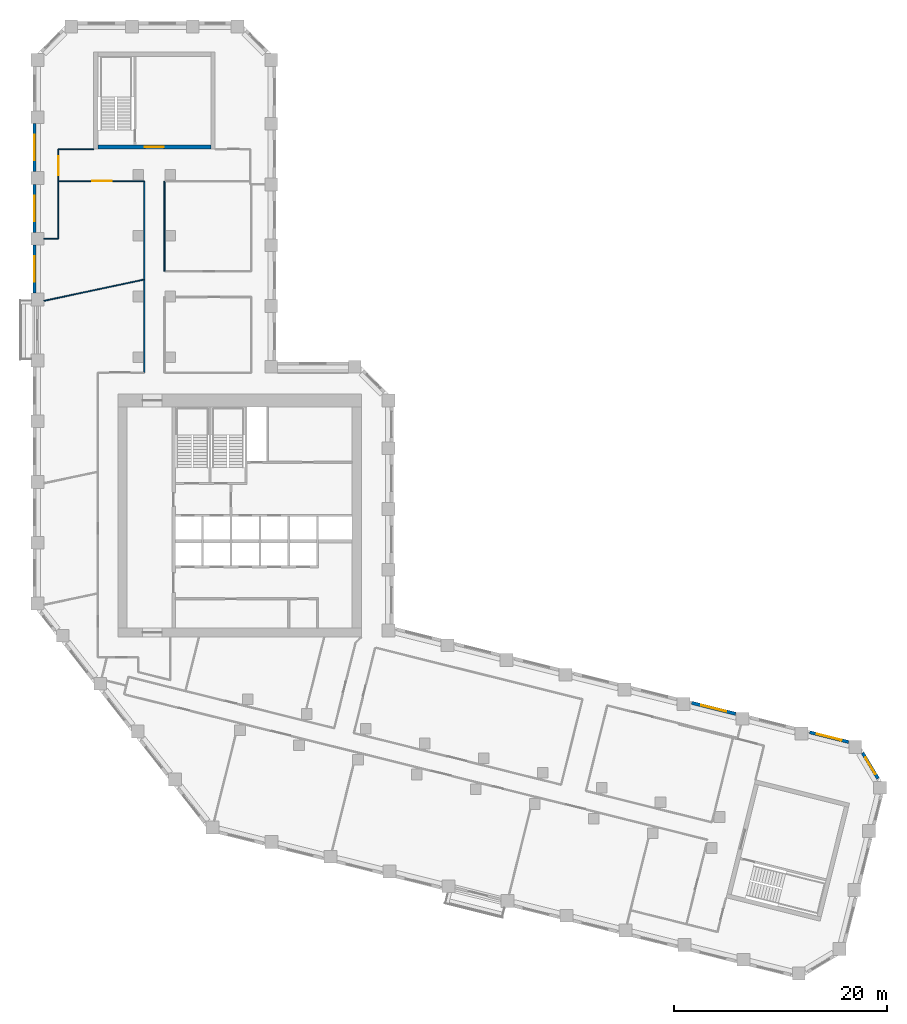
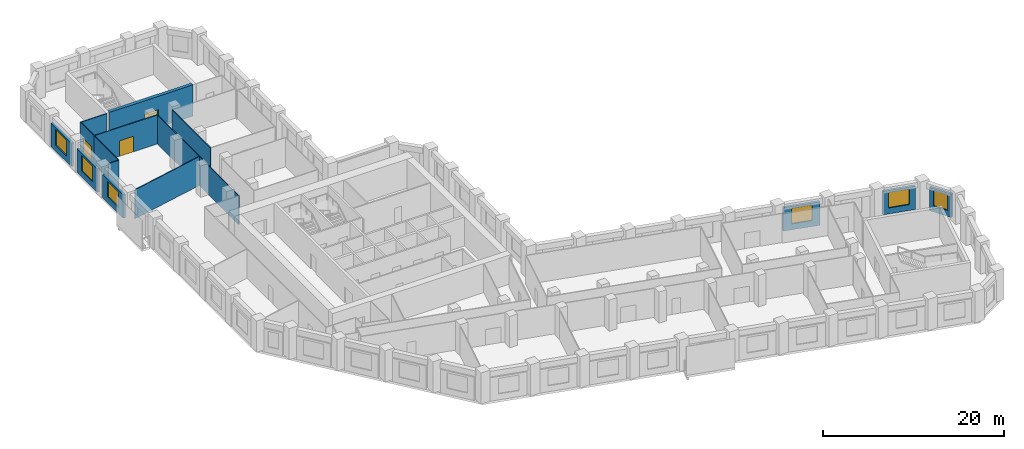
# One storey, part 7 of 10: 15 walls, 6 windows, 3 doors, 9 openings.
"""IFC4 building model written with IfcOpenShell, lengths in metres."""

from ifc_helpers import new_model, si_unit, direction, frame, frame_2d, origin, place, context, subcontext, project, spatial, rectangle, extrude, material, layer, layer_set, type_object, element, fill, save


model = new_model("IFC4")

# Units and contexts
model_context = context("Model", 3, precision=1e-05, world=origin(), true_north=direction((0.0, 1.0)))
body_context = subcontext(model_context, "Body", "Model", "MODEL_VIEW")
ifc_project = project(units=[si_unit("LENGTHUNIT", "METRE"), si_unit("AREAUNIT", "SQUARE_METRE"), si_unit("VOLUMEUNIT", "CUBIC_METRE"), si_unit("PLANEANGLEUNIT", "RADIAN"), si_unit("MASSUNIT", "GRAM", prefix="KILO")], contexts=[model_context])

# Site, building, storey
site_placement = place(None, origin())
site = spatial("IfcSite", under=ifc_project, at=site_placement, CompositionType="ELEMENT")
building_placement = place(site_placement, origin())
building = spatial("IfcBuilding", under=site, at=building_placement, Name="Meshkara Civic Tower", CompositionType="ELEMENT")
storey_placement = place(building_placement, frame((0.0, 0.0, 174.0)))
storey = spatial("IfcBuildingStorey", under=building, at=storey_placement, Name="L39", CompositionType="ELEMENT", Elevation=174.0)

# Wall, opening, door
ifc_material_1 = material(Name="Corridor wall 100")
ifc_layer_1 = layer(ifc_material_1, 0.10009765625)
ifc_layer_set_1 = layer_set([ifc_layer_1], Name="Corridor wall 100")
wall_type_1 = type_object("IfcWallType", Name="Corridor wall 100", PredefinedType="PARTITIONING", material=ifc_layer_set_1)
wall_1_placement = place(storey_placement, frame((2.39990234375, 56.8701171875, 0.0), z_axis=(0.0, 0.0, 1.0), x_axis=(1.0, 0.0, 0.0)))
wall_1 = element("IfcWall", 1, at=wall_1_placement, inside=storey, type_object=wall_type_1, Name="L39-W001", PredefinedType="PARTITIONING", context=body_context, shape_type="SweptSolid", body=[
    extrude(rectangle(XDim=8.050048828125, YDim=0.10009765625, at=frame_2d((4.02490234375, 0.0))), origin(), (0.0, 0.0, 1.0), 3.89990234375),
])
opening_1_placement = place(wall_1_placement, frame((3.179931640625, 0.0, 0.0)))
opening_1 = element("IfcOpeningElement", 2, at=opening_1_placement, cuts=wall_1, Name="Opening L39-D021", PredefinedType="OPENING", context=body_context, shape_type="SweptSolid", body=[
    extrude(rectangle(XDim=1.800048828125, YDim=2.10009765625, at=frame_2d((0.89990234375, 1.050048828125))), frame((0.0, 0.06005859375, 0.0), z_axis=(0.0, -1.0, 0.0), x_axis=(1.0, 0.0, 0.0)), (0.0, 0.0, 1.0), 0.1201171875),
])
ifc_material_2 = material(Name="Door pair 1800 x 2100")
door_type_1 = type_object("IfcDoorType", Name="Door pair 1800 x 2100", OperationType="SINGLE_SWING_LEFT", PredefinedType="DOOR", material=ifc_material_2)
door_1_placement = place(opening_1_placement, origin())
door_1 = element("IfcDoor", 3, at=door_1_placement, inside=storey, type_object=door_type_1, Name="L39-D021", OperationType="DOUBLE_DOOR_SINGLE_SWING", OverallHeight=2.10009765625, OverallWidth=1.800048828125, PredefinedType="DOOR", context=body_context, shape_type="SweptSolid", body=[
    extrude(rectangle(XDim=1.800048828125, YDim=2.10009765625, at=frame_2d((0.89990234375, 1.050048828125))), frame((0.0, 0.02490234375, 0.0), z_axis=(0.0, -1.0, 0.0), x_axis=(1.0, 0.0, 0.0)), (0.0, 0.0, 1.0), 0.050048828125),
])
fill(opening_1, door_1)

wall_2_placement = place(storey_placement, frame((2.39990234375, 59.8701171875, 0.0), z_axis=(0.0, 0.0, 1.0), x_axis=(0.0, -1.0, 0.0)))
wall_2 = element("IfcWall", 4, at=wall_2_placement, inside=storey, type_object=wall_type_1, Name="L39-W002", PredefinedType="PARTITIONING", context=body_context, shape_type="SweptSolid", body=[
    extrude(rectangle(XDim=3.0, YDim=0.10009765625, at=frame_2d((1.5, 0.0))), origin(), (0.0, 0.0, 1.0), 3.89990234375),
])
opening_2_placement = place(wall_2_placement, frame((0.679931640625, 0.0, 0.0)))
opening_2 = element("IfcOpeningElement", 5, at=opening_2_placement, cuts=wall_2, Name="Opening L39-D020", PredefinedType="OPENING", context=body_context, shape_type="SweptSolid", body=[
    extrude(rectangle(XDim=1.800048828125, YDim=2.10009765625, at=frame_2d((0.89990234375, 1.050048828125))), frame((0.0, 0.06005859375, 0.0), z_axis=(0.0, -1.0, 0.0), x_axis=(1.0, 0.0, 0.0)), (0.0, 0.0, 1.0), 0.1201171875),
])
door_2_placement = place(opening_2_placement, origin())
door_2 = element("IfcDoor", 6, at=door_2_placement, inside=storey, type_object=door_type_1, Name="L39-D020", OperationType="DOUBLE_DOOR_SINGLE_SWING", OverallHeight=2.10009765625, OverallWidth=1.800048828125, PredefinedType="DOOR", context=body_context, shape_type="SweptSolid", body=[
    extrude(rectangle(XDim=1.800048828125, YDim=2.10009765625, at=frame_2d((0.89990234375, 1.050048828125))), frame((0.0, 0.02490234375, 0.0), z_axis=(0.0, -1.0, 0.0), x_axis=(1.0, 0.0, 0.0)), (0.0, 0.0, 1.0), 0.050048828125),
])
fill(opening_2, door_2)

# Walls
wall_3_placement = place(storey_placement, frame((5.699951171875, 59.8701171875, 0.0), z_axis=(0.0, 0.0, 1.0), x_axis=(-1.0, 0.0, 0.0)))
element("IfcWall", 7, at=wall_3_placement, inside=storey, type_object=wall_type_1, Name="L39-W003", PredefinedType="PARTITIONING", context=body_context, shape_type="SweptSolid", body=[
    extrude(rectangle(XDim=3.300048828125, YDim=0.10009765625, at=frame_2d((1.64990234375, 0.0))), origin(), (0.0, 0.0, 1.0), 3.89990234375),
])
wall_4_placement = place(storey_placement, frame((10.449951171875, 56.8701171875, 0.0), z_axis=(0.0, 0.0, 1.0), x_axis=(0.0, -1.0, 0.0)))
element("IfcWall", 8, at=wall_4_placement, inside=storey, type_object=wall_type_1, Name="L39-W012", PredefinedType="PARTITIONING", context=body_context, shape_type="SweptSolid", body=[
    extrude(rectangle(XDim=17.97021484375, YDim=0.10009765625, at=frame_2d((8.985107421875, 0.0))), origin(), (0.0, 0.0, 1.0), 3.89990234375),
])
wall_5_placement = place(storey_placement, frame((12.35009765625, 48.39990234375, 0.0), z_axis=(0.0, 0.0, 1.0), x_axis=(0.0, 1.0, 0.0)))
element("IfcWall", 9, at=wall_5_placement, inside=storey, type_object=wall_type_1, Name="L39-W014", PredefinedType="PARTITIONING", context=body_context, shape_type="SweptSolid", body=[
    extrude(rectangle(XDim=8.47021484375, YDim=0.10009765625, at=frame_2d((4.235107421875, 0.0))), origin(), (0.0, 0.0, 1.0), 3.89990234375),
])

# Wall, opening, window
ifc_material_3 = material(Name="Insulated infill panel with bronze anodised aluminium cladding", Category="aluminium")
ifc_layer_2 = layer(ifc_material_3, 0.300048828125)
ifc_layer_set_2 = layer_set([ifc_layer_2], Name="EXTERNAL INFILL WALL 300")
wall_type_2 = type_object("IfcWallType", Name="EXTERNAL INFILL WALL 300", PredefinedType="SOLIDWALL", material=ifc_layer_set_2)
wall_6_placement = place(storey_placement, frame((76.491943359375, 4.27197265625, 0.0), z_axis=(0.0, 0.0, 1.0), x_axis=(-0.970348377394, 0.241710625521, 0.0)))
wall_6 = element("IfcWall", 10, at=wall_6_placement, inside=storey, type_object=wall_type_2, Name="External wall", PredefinedType="SOLIDWALL", context=body_context, shape_type="SweptSolid", body=[
    extrude(rectangle(XDim=3.760498046875, YDim=0.300048828125, at=frame_2d((1.88037109375, 0.0))), origin(), (0.0, 0.0, 1.0), 3.14990234375),
])
opening_3_placement = place(wall_6_placement, frame((0.679931640625, 0.0, 0.800048828125)))
opening_3 = element("IfcOpeningElement", 11, at=opening_3_placement, cuts=wall_6, Name="Opening W7", PredefinedType="OPENING", context=body_context, shape_type="SweptSolid", body=[
    extrude(rectangle(XDim=2.39990234375, YDim=2.10009765625, at=frame_2d((1.199951171875, 1.050048828125))), frame((0.0, 0.159912109375, 0.0), z_axis=(0.0, -1.0, 0.0), x_axis=(1.0, 0.0, 0.0)), (0.0, 0.0, 1.0), 0.320068359375),
])
ifc_material_4 = material(Name="Tinted double glazing", Category="glass")
window_type_1 = type_object("IfcWindowType", Name="WINDOW 2400x2100", PartitioningType="DOUBLE_PANEL_VERTICAL", PredefinedType="WINDOW", material=ifc_material_4)
window_1_placement = place(opening_3_placement, origin())
window_1 = element("IfcWindow", 12, at=window_1_placement, inside=storey, type_object=window_type_1, Name="Window", OverallHeight=2.10009765625, OverallWidth=2.39990234375, PartitioningType="DOUBLE_PANEL_VERTICAL", PredefinedType="WINDOW", context=body_context, shape_type="SweptSolid", body=[
    extrude(rectangle(XDim=2.39990234375, YDim=2.10009765625, at=frame_2d((1.199951171875, 1.050048828125))), frame((0.0, 0.030029296875, 0.0), z_axis=(0.0, -1.0, 0.0), x_axis=(1.0, 0.0, 0.0)), (0.0, 0.0, 1.0), 0.06005859375),
])
fill(opening_3, window_1)

wall_7_placement = place(storey_placement, frame((65.90087890625, 6.912109375, 0.0), z_axis=(0.0, 0.0, 1.0), x_axis=(-0.970260760633, 0.242062091986, 0.0)))
wall_7 = element("IfcWall", 13, at=wall_7_placement, inside=storey, type_object=wall_type_2, Name="External wall", PredefinedType="SOLIDWALL", context=body_context, shape_type="SweptSolid", body=[
    extrude(rectangle(XDim=4.24609375, YDim=0.300048828125, at=frame_2d((2.123046875, 0.0))), origin(), (0.0, 0.0, 1.0), 3.14990234375),
])
opening_4_placement = place(wall_7_placement, frame((0.923095703125, 0.0, 0.800048828125)))
opening_4 = element("IfcOpeningElement", 14, at=opening_4_placement, cuts=wall_7, Name="Opening W7", PredefinedType="OPENING", context=body_context, shape_type="SweptSolid", body=[
    extrude(rectangle(XDim=2.39990234375, YDim=2.10009765625, at=frame_2d((1.199951171875, 1.050048828125))), frame((0.0, 0.159912109375, 0.0), z_axis=(0.0, -1.0, 0.0), x_axis=(1.0, 0.0, 0.0)), (0.0, 0.0, 1.0), 0.320068359375),
])
window_2_placement = place(opening_4_placement, origin())
window_2 = element("IfcWindow", 15, at=window_2_placement, inside=storey, type_object=window_type_1, Name="Window", OverallHeight=2.10009765625, OverallWidth=2.39990234375, PartitioningType="DOUBLE_PANEL_VERTICAL", PredefinedType="WINDOW", context=body_context, shape_type="SweptSolid", body=[
    extrude(rectangle(XDim=2.39990234375, YDim=2.10009765625, at=frame_2d((1.199951171875, 1.050048828125))), frame((0.0, 0.030029296875, 0.0), z_axis=(0.0, -1.0, 0.0), x_axis=(1.0, 0.0, 0.0)), (0.0, 0.0, 1.0), 0.06005859375),
])
fill(opening_4, window_2)

wall_8_placement = place(storey_placement, frame((0.14990234375, 62.2548828125, 0.0), z_axis=(0.0, 0.0, 1.0), x_axis=(0.0, -1.0, 0.0)))
wall_8 = element("IfcWall", 16, at=wall_8_placement, inside=storey, type_object=wall_type_2, Name="External wall", PredefinedType="SOLIDWALL", context=body_context, shape_type="SweptSolid", body=[
    extrude(rectangle(XDim=4.5, YDim=0.300048828125, at=frame_2d((2.25, 0.0))), origin(), (0.0, 0.0, 1.0), 3.14990234375),
])
opening_5_placement = place(wall_8_placement, frame((1.050048828125, 0.0, 0.800048828125)))
opening_5 = element("IfcOpeningElement", 17, at=opening_5_placement, cuts=wall_8, Name="Opening W7", PredefinedType="OPENING", context=body_context, shape_type="SweptSolid", body=[
    extrude(rectangle(XDim=2.39990234375, YDim=2.10009765625, at=frame_2d((1.199951171875, 1.050048828125))), frame((0.0, 0.159912109375, 0.0), z_axis=(0.0, -1.0, 0.0), x_axis=(1.0, 0.0, 0.0)), (0.0, 0.0, 1.0), 0.320068359375),
])
window_3_placement = place(opening_5_placement, origin())
window_3 = element("IfcWindow", 18, at=window_3_placement, inside=storey, type_object=window_type_1, Name="Window", OverallHeight=2.10009765625, OverallWidth=2.39990234375, PartitioningType="DOUBLE_PANEL_VERTICAL", PredefinedType="WINDOW", context=body_context, shape_type="SweptSolid", body=[
    extrude(rectangle(XDim=2.39990234375, YDim=2.10009765625, at=frame_2d((1.199951171875, 1.050048828125))), frame((0.0, 0.030029296875, 0.0), z_axis=(0.0, -1.0, 0.0), x_axis=(1.0, 0.0, 0.0)), (0.0, 0.0, 1.0), 0.06005859375),
])
fill(opening_5, window_3)

wall_9_placement = place(storey_placement, frame((0.14990234375, 56.554931640625, 0.0), z_axis=(0.0, 0.0, 1.0), x_axis=(0.0, -1.0, 0.0)))
wall_9 = element("IfcWall", 19, at=wall_9_placement, inside=storey, type_object=wall_type_2, Name="External wall", PredefinedType="SOLIDWALL", context=body_context, shape_type="SweptSolid", body=[
    extrude(rectangle(XDim=4.5, YDim=0.300048828125, at=frame_2d((2.25, 0.0))), origin(), (0.0, 0.0, 1.0), 3.14990234375),
])
opening_6_placement = place(wall_9_placement, frame((1.050048828125, 0.0, 0.800048828125)))
opening_6 = element("IfcOpeningElement", 20, at=opening_6_placement, cuts=wall_9, Name="Opening W7", PredefinedType="OPENING", context=body_context, shape_type="SweptSolid", body=[
    extrude(rectangle(XDim=2.39990234375, YDim=2.10009765625, at=frame_2d((1.199951171875, 1.050048828125))), frame((0.0, 0.159912109375, 0.0), z_axis=(0.0, -1.0, 0.0), x_axis=(1.0, 0.0, 0.0)), (0.0, 0.0, 1.0), 0.320068359375),
])
window_4_placement = place(opening_6_placement, origin())
window_4 = element("IfcWindow", 21, at=window_4_placement, inside=storey, type_object=window_type_1, Name="Window", OverallHeight=2.10009765625, OverallWidth=2.39990234375, PartitioningType="DOUBLE_PANEL_VERTICAL", PredefinedType="WINDOW", context=body_context, shape_type="SweptSolid", body=[
    extrude(rectangle(XDim=2.39990234375, YDim=2.10009765625, at=frame_2d((1.199951171875, 1.050048828125))), frame((0.0, 0.030029296875, 0.0), z_axis=(0.0, -1.0, 0.0), x_axis=(1.0, 0.0, 0.0)), (0.0, 0.0, 1.0), 0.06005859375),
])
fill(opening_6, window_4)

wall_10_placement = place(storey_placement, frame((0.14990234375, 50.85498046875, 0.0), z_axis=(0.0, 0.0, 1.0), x_axis=(0.0, -1.0, 0.0)))
wall_10 = element("IfcWall", 22, at=wall_10_placement, inside=storey, type_object=wall_type_2, Name="External wall", PredefinedType="SOLIDWALL", context=body_context, shape_type="SweptSolid", body=[
    extrude(rectangle(XDim=4.5, YDim=0.300048828125, at=frame_2d((2.25, 0.0))), origin(), (0.0, 0.0, 1.0), 3.14990234375),
])
opening_7_placement = place(wall_10_placement, frame((1.050048828125, 0.0, 0.800048828125)))
opening_7 = element("IfcOpeningElement", 23, at=opening_7_placement, cuts=wall_10, Name="Opening W7", PredefinedType="OPENING", context=body_context, shape_type="SweptSolid", body=[
    extrude(rectangle(XDim=2.39990234375, YDim=2.10009765625, at=frame_2d((1.199951171875, 1.050048828125))), frame((0.0, 0.159912109375, 0.0), z_axis=(0.0, -1.0, 0.0), x_axis=(1.0, 0.0, 0.0)), (0.0, 0.0, 1.0), 0.320068359375),
])
window_5_placement = place(opening_7_placement, origin())
window_5 = element("IfcWindow", 24, at=window_5_placement, inside=storey, type_object=window_type_1, Name="Window", OverallHeight=2.10009765625, OverallWidth=2.39990234375, PartitioningType="DOUBLE_PANEL_VERTICAL", PredefinedType="WINDOW", context=body_context, shape_type="SweptSolid", body=[
    extrude(rectangle(XDim=2.39990234375, YDim=2.10009765625, at=frame_2d((1.199951171875, 1.050048828125))), frame((0.0, 0.030029296875, 0.0), z_axis=(0.0, -1.0, 0.0), x_axis=(1.0, 0.0, 0.0)), (0.0, 0.0, 1.0), 0.06005859375),
])
fill(opening_7, window_5)

wall_11_placement = place(storey_placement, frame((79.257080078125, 0.839111328125, 0.0), z_axis=(0.0, 0.0, 1.0), x_axis=(-0.514992914014, 0.857194434487, 0.0)))
wall_11 = element("IfcWall", 25, at=wall_11_placement, inside=storey, type_object=wall_type_2, Name="External wall", PredefinedType="SOLIDWALL", context=body_context, shape_type="SweptSolid", body=[
    extrude(rectangle(XDim=2.81591796875, YDim=0.300048828125, at=frame_2d((1.407958984375, 0.0))), origin(), (0.0, 0.0, 1.0), 3.14990234375),
])
opening_8_placement = place(wall_11_placement, frame((0.508056640625, 0.0, 0.800048828125)))
opening_8 = element("IfcOpeningElement", 26, at=opening_8_placement, cuts=wall_11, Name="Opening W9", PredefinedType="OPENING", context=body_context, shape_type="SweptSolid", body=[
    extrude(rectangle(XDim=1.800048828125, YDim=2.10009765625, at=frame_2d((0.89990234375, 1.050048828125))), frame((0.0, 0.159912109375, 0.0), z_axis=(0.0, -1.0, 0.0), x_axis=(1.0, 0.0, 0.0)), (0.0, 0.0, 1.0), 0.320068359375),
])
ifc_material_5 = material(Name="Tinted double glazing", Category="glass")
window_type_2 = type_object("IfcWindowType", Name="WINDOW 1800x2100", PartitioningType="DOUBLE_PANEL_VERTICAL", PredefinedType="WINDOW", material=ifc_material_5)
window_6_placement = place(opening_8_placement, origin())
window_6 = element("IfcWindow", 27, at=window_6_placement, inside=storey, type_object=window_type_2, Name="Window", OverallHeight=2.10009765625, OverallWidth=1.800048828125, PartitioningType="DOUBLE_PANEL_VERTICAL", PredefinedType="WINDOW", context=body_context, shape_type="SweptSolid", body=[
    extrude(rectangle(XDim=1.800048828125, YDim=2.10009765625, at=frame_2d((0.89990234375, 1.050048828125))), frame((0.0, 0.030029296875, 0.0), z_axis=(0.0, -1.0, 0.0), x_axis=(1.0, 0.0, 0.0)), (0.0, 0.0, 1.0), 0.06005859375),
])
fill(opening_8, window_6)

# Wall, opening, door
ifc_material_6 = material(Name="Concrete C70", Category="concrete")
ifc_layer_3 = layer(ifc_material_6, 0.39990234375)
ifc_layer_set_3 = layer_set([ifc_layer_3], Name="End core ring wall 400 C70")
wall_type_3 = type_object("IfcWallType", Name="End core ring wall 400 C70", PredefinedType="SHEAR", material=ifc_layer_set_3)
wall_12_placement = place(storey_placement, frame((6.10009765625, 60.070068359375, -0.300048828125), z_axis=(0.0, 0.0, 1.0), x_axis=(1.0, 0.0, 0.0)))
wall_12 = element("IfcWall", 28, at=wall_12_placement, inside=storey, type_object=wall_type_3, Name="L39-C024", PredefinedType="SHEAR", context=body_context, shape_type="SweptSolid", body=[
    extrude(rectangle(XDim=10.599853515625, YDim=0.39990234375, at=frame_2d((5.2998046875, 0.0))), origin(), (0.0, 0.0, 1.0), 4.199951171875),
])
opening_9_placement = place(wall_12_placement, frame((4.39990234375, 0.0, 0.300048828125)))
opening_9 = element("IfcOpeningElement", 29, at=opening_9_placement, cuts=wall_12, Name="Opening L39-K102", PredefinedType="OPENING", context=body_context, shape_type="SweptSolid", body=[
    extrude(rectangle(XDim=1.800048828125, YDim=2.10009765625, at=frame_2d((0.89990234375, 1.050048828125))), frame((0.0, 0.2099609375, 0.0), z_axis=(0.0, -1.0, 0.0), x_axis=(1.0, 0.0, 0.0)), (0.0, 0.0, 1.0), 0.419921875),
])
ifc_material_7 = material(Name="Fire-rated door leaf in steel frame", Category="steel")
door_type_2 = type_object("IfcDoorType", Name="Core double door 1800 EI 60", OperationType="DOUBLE_DOOR_SINGLE_SWING", PredefinedType="DOOR", material=ifc_material_7)
door_3_placement = place(opening_9_placement, origin())
door_3 = element("IfcDoor", 30, at=door_3_placement, inside=storey, type_object=door_type_2, Name="L39-K102", OperationType="DOUBLE_DOOR_SINGLE_SWING", OverallHeight=2.10009765625, OverallWidth=1.800048828125, PredefinedType="DOOR", context=body_context, shape_type="SweptSolid", body=[
    extrude(rectangle(XDim=1.800048828125, YDim=2.10009765625, at=frame_2d((0.89990234375, 1.050048828125))), frame((0.0, 0.02490234375, 0.0), z_axis=(0.0, -1.0, 0.0), x_axis=(1.0, 0.0, 0.0)), (0.0, 0.0, 1.0), 0.050048828125),
])
fill(opening_9, door_3)

# Walls
ifc_material_8 = material(Name="Partition 100")
ifc_layer_4 = layer(ifc_material_8, 0.10009765625)
ifc_layer_set_4 = layer_set([ifc_layer_4], Name="Partition 100")
wall_type_4 = type_object("IfcWallType", Name="Partition 100", PredefinedType="PARTITIONING", material=ifc_layer_set_4)
wall_13_placement = place(storey_placement, frame((2.39990234375, 51.455078125, 0.0), z_axis=(0.0, 0.0, 1.0), x_axis=(-1.0, 0.0, 0.0)))
element("IfcWall", 31, at=wall_13_placement, inside=storey, type_object=wall_type_4, Name="L39-W043", PredefinedType="PARTITIONING", context=body_context, shape_type="SweptSolid", body=[
    extrude(rectangle(XDim=1.349853515625, YDim=0.10009765625, at=frame_2d((0.6748046875, 0.0))), origin(), (0.0, 0.0, 1.0), 3.89990234375),
])
wall_14_placement = place(storey_placement, frame((2.39990234375, 56.8740234375, 0.0), z_axis=(0.0, 0.0, 1.0), x_axis=(0.0, -1.0, 0.0)))
element("IfcWall", 32, at=wall_14_placement, inside=storey, type_object=wall_type_4, Name="L39-W044", PredefinedType="PARTITIONING", context=body_context, shape_type="SweptSolid", body=[
    extrude(rectangle(XDim=5.4189453125, YDim=0.10009765625, at=frame_2d((2.70947265625, 0.0))), origin(), (0.0, 0.0, 1.0), 3.89990234375),
])
wall_15_placement = place(storey_placement, frame((10.389892578125, 47.623046875, 0.0), z_axis=(0.0, 0.0, 1.0), x_axis=(-0.978129729955, -0.207995748463, 0.0)))
element("IfcWall", 33, at=wall_15_placement, inside=storey, type_object=wall_type_4, Name="L39-W049", PredefinedType="PARTITIONING", context=body_context, shape_type="SweptSolid", body=[
    extrude(rectangle(XDim=9.548583984375, YDim=0.10009765625, at=frame_2d((4.7744140625, 0.0))), origin(), (0.0, 0.0, 1.0), 3.89990234375),
])

save(model, "model.ifc")
